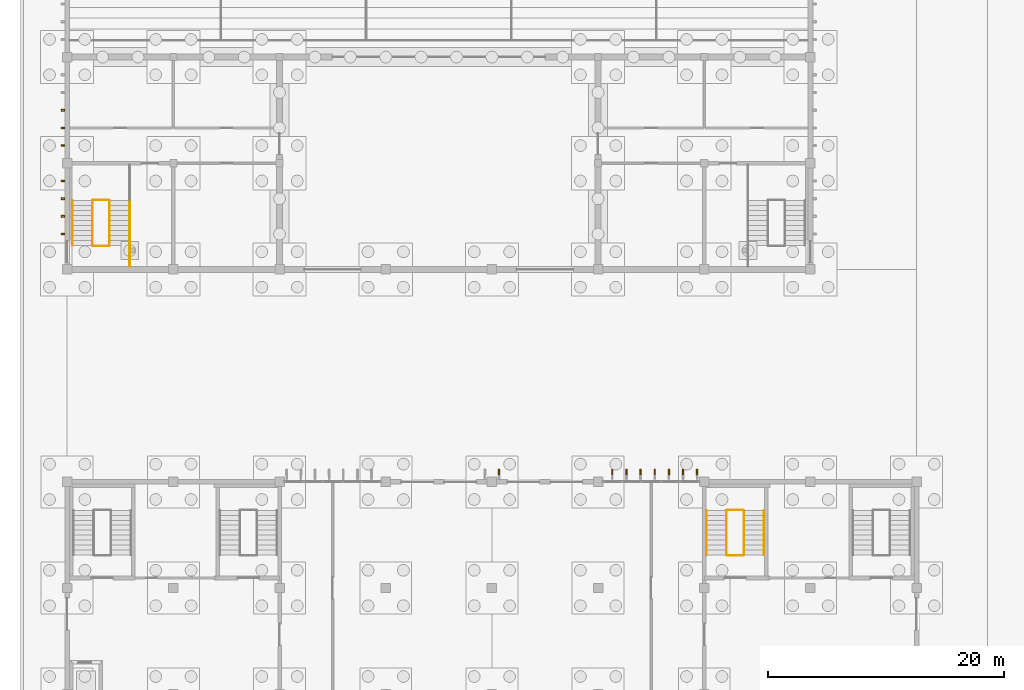
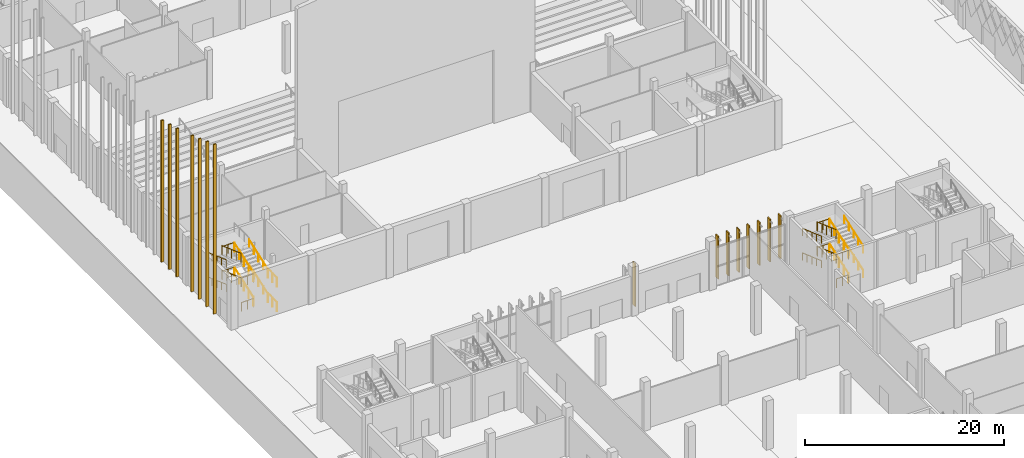
# One storey, part 147 of 198: 26 railings, 15 coverings.
"""IFC4 building model written with IfcOpenShell, lengths in metres."""

from ifc_helpers import new_model, si_unit, direction, frame, origin, origin_2d, place, context, subcontext, project, spatial, rectangle, circle, extrude, material, layer, layer_set, constituent, constituent_set, type_object, element, save


model = new_model("IFC4")

# Units and contexts
model_context = context("Model", 3, precision=1e-05, world=origin(), true_north=direction((0.0, 1.0)))
body_context = subcontext(model_context, "Body", "Model", "MODEL_VIEW")
ifc_project = project(units=[si_unit("LENGTHUNIT", "METRE"), si_unit("AREAUNIT", "SQUARE_METRE"), si_unit("VOLUMEUNIT", "CUBIC_METRE"), si_unit("PLANEANGLEUNIT", "RADIAN"), si_unit("MASSUNIT", "GRAM", prefix="KILO")], contexts=[model_context])

# Site, building, storey
site_placement = place(None, origin())
site = spatial("IfcSite", under=ifc_project, at=site_placement, CompositionType="ELEMENT")
building_placement = place(site_placement, origin())
building = spatial("IfcBuilding", under=site, at=building_placement, Name="Opaline Strait Convention Centre", CompositionType="ELEMENT")
storey_placement = place(building_placement, origin())
storey = spatial("IfcBuildingStorey", under=building, at=storey_placement, Name="L00", CompositionType="ELEMENT", Elevation=0.0)

# Coverings
ifc_material_1 = material(Name="Glass fibre reinforced concrete, white", Category="concrete")
ifc_layer_1 = layer(ifc_material_1, 0.300048828125)
ifc_layer_set_1 = layer_set([ifc_layer_1], Name="Glass fibre reinforced concrete, white")
covering_type_1 = type_object("IfcCoveringType", Name="GRC rib 150 x 300", PredefinedType="CLADDING", material=ifc_layer_set_1)
covering_1_placement = place(storey_placement, frame((8.64990234375, 120.0, 0.0), z_axis=(0.0, 0.0, 1.0), x_axis=(1.0, 0.0, 0.0)))
element("IfcCovering", 1, at=covering_1_placement, inside=storey, type_object=covering_type_1, Name="PX1 rib west 2", PredefinedType="CLADDING", context=body_context, shape_type="SweptSolid", body=[
    extrude(rectangle(XDim=0.300048828125, YDim=0.14990234375, at=origin_2d()), origin(), (0.0, 0.0, 1.0), 20.770263671875),
])
covering_2_placement = place(storey_placement, frame((8.64990234375, 121.5, 0.0), z_axis=(0.0, 0.0, 1.0), x_axis=(1.0, 0.0, 0.0)))
element("IfcCovering", 2, at=covering_2_placement, inside=storey, type_object=covering_type_1, Name="PX1 rib west 3", PredefinedType="CLADDING", context=body_context, shape_type="SweptSolid", body=[
    extrude(rectangle(XDim=0.300048828125, YDim=0.14990234375, at=origin_2d()), origin(), (0.0, 0.0, 1.0), 20.182861328125),
])
covering_3_placement = place(storey_placement, frame((8.64990234375, 123.0, 0.0), z_axis=(0.0, 0.0, 1.0), x_axis=(1.0, 0.0, 0.0)))
element("IfcCovering", 3, at=covering_3_placement, inside=storey, type_object=covering_type_1, Name="PX1 rib west 4", PredefinedType="CLADDING", context=body_context, shape_type="SweptSolid", body=[
    extrude(rectangle(XDim=0.300048828125, YDim=0.14990234375, at=origin_2d()), origin(), (0.0, 0.0, 1.0), 19.627197265625),
])
covering_4_placement = place(storey_placement, frame((8.64990234375, 124.5, 0.0), z_axis=(0.0, 0.0, 1.0), x_axis=(1.0, 0.0, 0.0)))
element("IfcCovering", 4, at=covering_4_placement, inside=storey, type_object=covering_type_1, Name="PX1 rib west 5", PredefinedType="CLADDING", context=body_context, shape_type="SweptSolid", body=[
    extrude(rectangle(XDim=0.300048828125, YDim=0.14990234375, at=origin_2d()), origin(), (0.0, 0.0, 1.0), 19.103515625),
])
covering_5_placement = place(storey_placement, frame((8.64990234375, 127.5, 0.0), z_axis=(0.0, 0.0, 1.0), x_axis=(1.0, 0.0, 0.0)))
element("IfcCovering", 5, at=covering_5_placement, inside=storey, type_object=covering_type_1, Name="PX1 rib west 7", PredefinedType="CLADDING", context=body_context, shape_type="SweptSolid", body=[
    extrude(rectangle(XDim=0.300048828125, YDim=0.14990234375, at=origin_2d()), origin(), (0.0, 0.0, 1.0), 18.151123046875),
])
covering_6_placement = place(storey_placement, frame((8.64990234375, 129.0, 0.0), z_axis=(0.0, 0.0, 1.0), x_axis=(1.0, 0.0, 0.0)))
element("IfcCovering", 6, at=covering_6_placement, inside=storey, type_object=covering_type_1, Name="PX1 rib west 8", PredefinedType="CLADDING", context=body_context, shape_type="SweptSolid", body=[
    extrude(rectangle(XDim=0.300048828125, YDim=0.14990234375, at=origin_2d()), origin(), (0.0, 0.0, 1.0), 17.722412109375),
])
covering_7_placement = place(storey_placement, frame((8.64990234375, 130.5, 0.0), z_axis=(0.0, 0.0, 1.0), x_axis=(1.0, 0.0, 0.0)))
element("IfcCovering", 7, at=covering_7_placement, inside=storey, type_object=covering_type_1, Name="PX1 rib west 9", PredefinedType="CLADDING", context=body_context, shape_type="SweptSolid", body=[
    extrude(rectangle(XDim=0.300048828125, YDim=0.14990234375, at=origin_2d()), origin(), (0.0, 0.0, 1.0), 17.32568359375),
])

# Railings
ifc_material_2 = material(Name="Steel Q355B", Category="steel")
ifc_constituent_1 = constituent(ifc_material_2, Name="Frame")
ifc_material_3 = material(Name="Safety glass, bonded interlayer", Category="glass")
ifc_constituent_2 = constituent(ifc_material_3, Name="Infill")
ifc_constituent_set_1 = constituent_set(constituents=[ifc_constituent_1, ifc_constituent_2], Name="Steel Q355B, Safety glass, bonded interlayer")
railing_type_1 = type_object("IfcRailingType", Name="Seating guard 1100 steel and glass", PredefinedType="GUARDRAIL", material=ifc_constituent_set_1)
railing_1_placement = place(storey_placement, frame((12.60009765625, 119.050048828125, 0.14990234375)))
element("IfcRailing", 8, at=railing_1_placement, inside=storey, type_object=railing_type_1, Name="L00 PSR1 stair guard 1", PredefinedType="GUARDRAIL", context=body_context, shape_type="SweptSolid", body=[
    extrude(circle(Radius=0.02392578125, at=origin_2d()), frame((0.0, 0.0, 1.076171875), z_axis=(0.0, 0.941735030876, 0.336355662388), x_axis=(-1.0, 0.0, 0.0)), (0.0, 0.0, 1.0), 4.013916015625),
    extrude(circle(Radius=0.02099609375, at=origin_2d()), origin(), (0.0, 0.0, 1.0), 1.052001953125),
    extrude(circle(Radius=0.02099609375, at=origin_2d()), frame((0.0, 0.945068359375, 0.33740234375)), (0.0, 0.0, 1.0), 1.052001953125),
    extrude(circle(Radius=0.02099609375, at=origin_2d()), frame((0.0, 1.89013671875, 0.675048828125)), (0.0, 0.0, 1.0), 1.052001953125),
    extrude(circle(Radius=0.02099609375, at=origin_2d()), frame((0.0, 2.8349609375, 1.0126953125)), (0.0, 0.0, 1.0), 1.052001953125),
    extrude(circle(Radius=0.02099609375, at=origin_2d()), frame((0.0, 3.780029296875, 1.35009765625)), (0.0, 0.0, 1.0), 1.052001953125),
])
railing_2_placement = place(storey_placement, frame((12.550048828125, 122.8798828125, 1.5)))
element("IfcRailing", 9, at=railing_2_placement, inside=storey, type_object=railing_type_1, Name="L00 PSR1 stair guard 2", PredefinedType="GUARDRAIL", context=body_context, shape_type="SweptSolid", body=[
    extrude(circle(Radius=0.02392578125, at=origin_2d()), frame((0.0, 0.0, 1.076171875), z_axis=(-1.0, 0.0, 0.0), x_axis=(0.0, -1.0, 0.0)), (0.0, 0.0, 1.0), 1.35009765625),
    extrude(circle(Radius=0.02099609375, at=origin_2d()), origin(), (0.0, 0.0, 1.0), 1.052001953125),
    extrude(circle(Radius=0.02099609375, at=origin_2d()), frame((-0.675048828125, 0.0, 0.0)), (0.0, 0.0, 1.0), 1.052001953125),
    extrude(circle(Radius=0.02099609375, at=origin_2d()), frame((-1.35009765625, 0.0, 0.0)), (0.0, 0.0, 1.0), 1.052001953125),
])
railing_3_placement = place(storey_placement, frame((11.14990234375, 122.830078125, 1.64990234375)))
element("IfcRailing", 10, at=railing_3_placement, inside=storey, type_object=railing_type_1, Name="L00 PSR1 stair guard 4", PredefinedType="GUARDRAIL", context=body_context, shape_type="SweptSolid", body=[
    extrude(circle(Radius=0.02392578125, at=origin_2d()), frame((0.0, 0.0, 1.076171875), z_axis=(0.0, -0.941735030876, 0.336355662388), x_axis=(1.0, 0.0, 0.0)), (0.0, 0.0, 1.0), 4.013916015625),
    extrude(circle(Radius=0.02099609375, at=origin_2d()), origin(), (0.0, 0.0, 1.0), 1.052001953125),
    extrude(circle(Radius=0.02099609375, at=origin_2d()), frame((0.0, -0.945068359375, 0.33740234375)), (0.0, 0.0, 1.0), 1.052001953125),
    extrude(circle(Radius=0.02099609375, at=origin_2d()), frame((0.0, -1.89013671875, 0.675048828125)), (0.0, 0.0, 1.0), 1.052001953125),
    extrude(circle(Radius=0.02099609375, at=origin_2d()), frame((0.0, -2.8349609375, 1.0126953125)), (0.0, 0.0, 1.0), 1.052001953125),
    extrude(circle(Radius=0.02099609375, at=origin_2d()), frame((0.0, -3.780029296875, 1.35009765625)), (0.0, 0.0, 1.0), 1.052001953125),
])
railing_4_placement = place(storey_placement, frame((12.550048828125, 119.0, 3.0)))
element("IfcRailing", 11, at=railing_4_placement, inside=storey, type_object=railing_type_1, Name="L00 PSR1 stair guard 5", PredefinedType="GUARDRAIL", context=body_context, shape_type="SweptSolid", body=[
    extrude(circle(Radius=0.02392578125, at=origin_2d()), frame((0.0, 0.0, 1.076171875), z_axis=(-1.0, 0.0, 0.0), x_axis=(0.0, -1.0, 0.0)), (0.0, 0.0, 1.0), 1.35009765625),
    extrude(circle(Radius=0.02099609375, at=origin_2d()), origin(), (0.0, 0.0, 1.0), 1.052001953125),
    extrude(circle(Radius=0.02099609375, at=origin_2d()), frame((-0.675048828125, 0.0, 0.0)), (0.0, 0.0, 1.0), 1.052001953125),
    extrude(circle(Radius=0.02099609375, at=origin_2d()), frame((-1.35009765625, 0.0, 0.0)), (0.0, 0.0, 1.0), 1.052001953125),
])
railing_5_placement = place(storey_placement, frame((14.300048828125, 117.25, 3.0)))
element("IfcRailing", 12, at=railing_5_placement, inside=storey, type_object=railing_type_1, Name="L00 PSR1 stair guard 6", PredefinedType="GUARDRAIL", context=body_context, shape_type="SweptSolid", body=[
    extrude(circle(Radius=0.02392578125, at=origin_2d()), frame((0.0, 0.0, 1.076171875), z_axis=(0.0, 1.0, 0.0), x_axis=(-1.0, 0.0, 0.0)), (0.0, 0.0, 1.0), 1.800048828125),
    extrude(circle(Radius=0.02099609375, at=origin_2d()), origin(), (0.0, 0.0, 1.0), 1.052001953125),
    extrude(circle(Radius=0.02099609375, at=origin_2d()), frame((0.0, 0.89990234375, 0.0)), (0.0, 0.0, 1.0), 1.052001953125),
    extrude(circle(Radius=0.02099609375, at=origin_2d()), frame((0.0, 1.800048828125, 0.0)), (0.0, 0.0, 1.0), 1.052001953125),
])
railing_6_placement = place(storey_placement, frame((12.60009765625, 119.050048828125, 3.14990234375)))
element("IfcRailing", 13, at=railing_6_placement, inside=storey, type_object=railing_type_1, Name="L00 PSR1 stair guard 7", PredefinedType="GUARDRAIL", context=body_context, shape_type="SweptSolid", body=[
    extrude(circle(Radius=0.02392578125, at=origin_2d()), frame((0.0, 0.0, 1.076171875), z_axis=(0.0, 0.941735030876, 0.336355662388), x_axis=(-1.0, 0.0, 0.0)), (0.0, 0.0, 1.0), 4.013916015625),
    extrude(circle(Radius=0.02099609375, at=origin_2d()), origin(), (0.0, 0.0, 1.0), 1.052001953125),
    extrude(circle(Radius=0.02099609375, at=origin_2d()), frame((0.0, 0.945068359375, 0.33740234375)), (0.0, 0.0, 1.0), 1.052001953125),
    extrude(circle(Radius=0.02099609375, at=origin_2d()), frame((0.0, 1.89013671875, 0.675048828125)), (0.0, 0.0, 1.0), 1.052001953125),
    extrude(circle(Radius=0.02099609375, at=origin_2d()), frame((0.0, 2.8349609375, 1.0126953125)), (0.0, 0.0, 1.0), 1.052001953125),
    extrude(circle(Radius=0.02099609375, at=origin_2d()), frame((0.0, 3.780029296875, 1.35009765625)), (0.0, 0.0, 1.0), 1.052001953125),
])
railing_7_placement = place(storey_placement, frame((12.550048828125, 122.8798828125, 4.5)))
element("IfcRailing", 14, at=railing_7_placement, inside=storey, type_object=railing_type_1, Name="L00 PSR1 stair guard 8", PredefinedType="GUARDRAIL", context=body_context, shape_type="SweptSolid", body=[
    extrude(circle(Radius=0.02392578125, at=origin_2d()), frame((0.0, 0.0, 1.076171875), z_axis=(-1.0, 0.0, 0.0), x_axis=(0.0, -1.0, 0.0)), (0.0, 0.0, 1.0), 1.35009765625),
    extrude(circle(Radius=0.02099609375, at=origin_2d()), origin(), (0.0, 0.0, 1.0), 1.052001953125),
    extrude(circle(Radius=0.02099609375, at=origin_2d()), frame((-0.675048828125, 0.0, 0.0)), (0.0, 0.0, 1.0), 1.052001953125),
    extrude(circle(Radius=0.02099609375, at=origin_2d()), frame((-1.35009765625, 0.0, 0.0)), (0.0, 0.0, 1.0), 1.052001953125),
])
railing_8_placement = place(storey_placement, frame((11.14990234375, 122.830078125, 4.64990234375)))
element("IfcRailing", 15, at=railing_8_placement, inside=storey, type_object=railing_type_1, Name="L00 PSR1 stair guard 10", PredefinedType="GUARDRAIL", context=body_context, shape_type="SweptSolid", body=[
    extrude(circle(Radius=0.02392578125, at=origin_2d()), frame((0.0, 0.0, 1.076171875), z_axis=(0.0, -0.941735030876, 0.336355662388), x_axis=(1.0, 0.0, 0.0)), (0.0, 0.0, 1.0), 4.013916015625),
    extrude(circle(Radius=0.02099609375, at=origin_2d()), origin(), (0.0, 0.0, 1.0), 1.052001953125),
    extrude(circle(Radius=0.02099609375, at=origin_2d()), frame((0.0, -0.945068359375, 0.33740234375)), (0.0, 0.0, 1.0), 1.052001953125),
    extrude(circle(Radius=0.02099609375, at=origin_2d()), frame((0.0, -1.89013671875, 0.675048828125)), (0.0, 0.0, 1.0), 1.052001953125),
    extrude(circle(Radius=0.02099609375, at=origin_2d()), frame((0.0, -2.8349609375, 1.0126953125)), (0.0, 0.0, 1.0), 1.052001953125),
    extrude(circle(Radius=0.02099609375, at=origin_2d()), frame((0.0, -3.780029296875, 1.35009765625)), (0.0, 0.0, 1.0), 1.052001953125),
])
railing_9_placement = place(storey_placement, frame((12.550048828125, 119.0, 0.0)))
element("IfcRailing", 16, at=railing_9_placement, inside=storey, type_object=railing_type_1, Name="L00 PSR1 stair guard 11", PredefinedType="GUARDRAIL", context=body_context, shape_type="SweptSolid", body=[
    extrude(circle(Radius=0.02392578125, at=origin_2d()), frame((0.0, 0.0, 1.076171875), z_axis=(-1.0, 0.0, 0.0), x_axis=(0.0, -1.0, 0.0)), (0.0, 0.0, 1.0), 1.35009765625),
    extrude(circle(Radius=0.02099609375, at=origin_2d()), origin(), (0.0, 0.0, 1.0), 1.052001953125),
    extrude(circle(Radius=0.02099609375, at=origin_2d()), frame((-0.675048828125, 0.0, 0.0)), (0.0, 0.0, 1.0), 1.052001953125),
    extrude(circle(Radius=0.02099609375, at=origin_2d()), frame((-1.35009765625, 0.0, 0.0)), (0.0, 0.0, 1.0), 1.052001953125),
])
railing_10_placement = place(storey_placement, frame((14.300048828125, 117.25, 0.0)))
element("IfcRailing", 17, at=railing_10_placement, inside=storey, type_object=railing_type_1, Name="L00 PSR1 stair guard 12", PredefinedType="GUARDRAIL", context=body_context, shape_type="SweptSolid", body=[
    extrude(circle(Radius=0.02392578125, at=origin_2d()), frame((0.0, 0.0, 1.076171875), z_axis=(0.0, 1.0, 0.0), x_axis=(-1.0, 0.0, 0.0)), (0.0, 0.0, 1.0), 1.800048828125),
    extrude(circle(Radius=0.02099609375, at=origin_2d()), origin(), (0.0, 0.0, 1.0), 1.052001953125),
    extrude(circle(Radius=0.02099609375, at=origin_2d()), frame((0.0, 0.89990234375, 0.0)), (0.0, 0.0, 1.0), 1.052001953125),
    extrude(circle(Radius=0.02099609375, at=origin_2d()), frame((0.0, 1.800048828125, 0.0)), (0.0, 0.0, 1.0), 1.052001953125),
])
ifc_material_4 = material(Name="Steel Q235B", Category="steel")
ifc_constituent_3 = constituent(ifc_material_4, Name="Frame")
ifc_constituent_4 = constituent(ifc_material_3, Name="Infill")
ifc_constituent_set_2 = constituent_set(constituents=[ifc_constituent_3, ifc_constituent_4], Name="Steel Q235B, Safety glass, bonded interlayer")
railing_type_2 = type_object("IfcRailingType", Name="Stair guard 1100 Q235B and glass", PredefinedType="GUARDRAIL", material=ifc_constituent_set_2)
railing_11_placement = place(storey_placement, frame((66.35009765625, 92.800048828125, 0.14990234375)))
element("IfcRailing", 18, at=railing_11_placement, inside=storey, type_object=railing_type_2, Name="L00 NEB stair guard 1", PredefinedType="GUARDRAIL", context=body_context, shape_type="SweptSolid", body=[
    extrude(circle(Radius=0.02392578125, at=origin_2d()), frame((0.0, 0.0, 1.076171875), z_axis=(0.0, 0.941735030876, 0.336355662388), x_axis=(-1.0, 0.0, 0.0)), (0.0, 0.0, 1.0), 4.013916015625),
    extrude(circle(Radius=0.02099609375, at=origin_2d()), origin(), (0.0, 0.0, 1.0), 1.052001953125),
    extrude(circle(Radius=0.02099609375, at=origin_2d()), frame((0.0, 0.945068359375, 0.33740234375)), (0.0, 0.0, 1.0), 1.052001953125),
    extrude(circle(Radius=0.02099609375, at=origin_2d()), frame((0.0, 1.89013671875, 0.675048828125)), (0.0, 0.0, 1.0), 1.052001953125),
    extrude(circle(Radius=0.02099609375, at=origin_2d()), frame((0.0, 2.8349609375, 1.0126953125)), (0.0, 0.0, 1.0), 1.052001953125),
    extrude(circle(Radius=0.02099609375, at=origin_2d()), frame((0.0, 3.780029296875, 1.35009765625)), (0.0, 0.0, 1.0), 1.052001953125),
])
railing_12_placement = place(storey_placement, frame((66.300048828125, 96.6298828125, 1.5)))
element("IfcRailing", 19, at=railing_12_placement, inside=storey, type_object=railing_type_2, Name="L00 NEB stair guard 2", PredefinedType="GUARDRAIL", context=body_context, shape_type="SweptSolid", body=[
    extrude(circle(Radius=0.02392578125, at=origin_2d()), frame((0.0, 0.0, 1.076171875), z_axis=(-1.0, 0.0, 0.0), x_axis=(0.0, -1.0, 0.0)), (0.0, 0.0, 1.0), 1.35009765625),
    extrude(circle(Radius=0.02099609375, at=origin_2d()), origin(), (0.0, 0.0, 1.0), 1.052001953125),
    extrude(circle(Radius=0.02099609375, at=origin_2d()), frame((-0.675048828125, 0.0, 0.0)), (0.0, 0.0, 1.0), 1.052001953125),
    extrude(circle(Radius=0.02099609375, at=origin_2d()), frame((-1.35009765625, 0.0, 0.0)), (0.0, 0.0, 1.0), 1.052001953125),
])
railing_13_placement = place(storey_placement, frame((64.89990234375, 96.580078125, 1.64990234375)))
element("IfcRailing", 20, at=railing_13_placement, inside=storey, type_object=railing_type_2, Name="L00 NEB stair guard 3", PredefinedType="GUARDRAIL", context=body_context, shape_type="SweptSolid", body=[
    extrude(circle(Radius=0.02392578125, at=origin_2d()), frame((0.0, 0.0, 1.076171875), z_axis=(0.0, -0.941735030876, 0.336355662388), x_axis=(1.0, 0.0, 0.0)), (0.0, 0.0, 1.0), 4.013916015625),
    extrude(circle(Radius=0.02099609375, at=origin_2d()), origin(), (0.0, 0.0, 1.0), 1.052001953125),
    extrude(circle(Radius=0.02099609375, at=origin_2d()), frame((0.0, -0.945068359375, 0.33740234375)), (0.0, 0.0, 1.0), 1.052001953125),
    extrude(circle(Radius=0.02099609375, at=origin_2d()), frame((0.0, -1.89013671875, 0.675048828125)), (0.0, 0.0, 1.0), 1.052001953125),
    extrude(circle(Radius=0.02099609375, at=origin_2d()), frame((0.0, -2.8349609375, 1.0126953125)), (0.0, 0.0, 1.0), 1.052001953125),
    extrude(circle(Radius=0.02099609375, at=origin_2d()), frame((0.0, -3.780029296875, 1.35009765625)), (0.0, 0.0, 1.0), 1.052001953125),
])
railing_14_placement = place(storey_placement, frame((66.300048828125, 92.75, 3.0)))
element("IfcRailing", 21, at=railing_14_placement, inside=storey, type_object=railing_type_2, Name="L00 NEB stair guard 4", PredefinedType="GUARDRAIL", context=body_context, shape_type="SweptSolid", body=[
    extrude(circle(Radius=0.02392578125, at=origin_2d()), frame((0.0, 0.0, 1.076171875), z_axis=(-1.0, 0.0, 0.0), x_axis=(0.0, -1.0, 0.0)), (0.0, 0.0, 1.0), 1.35009765625),
    extrude(circle(Radius=0.02099609375, at=origin_2d()), origin(), (0.0, 0.0, 1.0), 1.052001953125),
    extrude(circle(Radius=0.02099609375, at=origin_2d()), frame((-0.675048828125, 0.0, 0.0)), (0.0, 0.0, 1.0), 1.052001953125),
    extrude(circle(Radius=0.02099609375, at=origin_2d()), frame((-1.35009765625, 0.0, 0.0)), (0.0, 0.0, 1.0), 1.052001953125),
])
railing_15_placement = place(storey_placement, frame((66.35009765625, 92.800048828125, 3.14990234375)))
element("IfcRailing", 22, at=railing_15_placement, inside=storey, type_object=railing_type_2, Name="L00 NEB stair guard 5", PredefinedType="GUARDRAIL", context=body_context, shape_type="SweptSolid", body=[
    extrude(circle(Radius=0.02392578125, at=origin_2d()), frame((0.0, 0.0, 1.076171875), z_axis=(0.0, 0.941735030876, 0.336355662388), x_axis=(-1.0, 0.0, 0.0)), (0.0, 0.0, 1.0), 4.013916015625),
    extrude(circle(Radius=0.02099609375, at=origin_2d()), origin(), (0.0, 0.0, 1.0), 1.052001953125),
    extrude(circle(Radius=0.02099609375, at=origin_2d()), frame((0.0, 0.945068359375, 0.33740234375)), (0.0, 0.0, 1.0), 1.052001953125),
    extrude(circle(Radius=0.02099609375, at=origin_2d()), frame((0.0, 1.89013671875, 0.675048828125)), (0.0, 0.0, 1.0), 1.052001953125),
    extrude(circle(Radius=0.02099609375, at=origin_2d()), frame((0.0, 2.8349609375, 1.0126953125)), (0.0, 0.0, 1.0), 1.052001953125),
    extrude(circle(Radius=0.02099609375, at=origin_2d()), frame((0.0, 3.780029296875, 1.35009765625)), (0.0, 0.0, 1.0), 1.052001953125),
])
railing_16_placement = place(storey_placement, frame((66.300048828125, 96.6298828125, 4.5)))
element("IfcRailing", 23, at=railing_16_placement, inside=storey, type_object=railing_type_2, Name="L00 NEB stair guard 6", PredefinedType="GUARDRAIL", context=body_context, shape_type="SweptSolid", body=[
    extrude(circle(Radius=0.02392578125, at=origin_2d()), frame((0.0, 0.0, 1.076171875), z_axis=(-1.0, 0.0, 0.0), x_axis=(0.0, -1.0, 0.0)), (0.0, 0.0, 1.0), 1.35009765625),
    extrude(circle(Radius=0.02099609375, at=origin_2d()), origin(), (0.0, 0.0, 1.0), 1.052001953125),
    extrude(circle(Radius=0.02099609375, at=origin_2d()), frame((-0.675048828125, 0.0, 0.0)), (0.0, 0.0, 1.0), 1.052001953125),
    extrude(circle(Radius=0.02099609375, at=origin_2d()), frame((-1.35009765625, 0.0, 0.0)), (0.0, 0.0, 1.0), 1.052001953125),
])
railing_17_placement = place(storey_placement, frame((64.89990234375, 96.580078125, 4.64990234375)))
element("IfcRailing", 24, at=railing_17_placement, inside=storey, type_object=railing_type_2, Name="L00 NEB stair guard 7", PredefinedType="GUARDRAIL", context=body_context, shape_type="SweptSolid", body=[
    extrude(circle(Radius=0.02392578125, at=origin_2d()), frame((0.0, 0.0, 1.076171875), z_axis=(0.0, -0.941735030876, 0.336355662388), x_axis=(1.0, 0.0, 0.0)), (0.0, 0.0, 1.0), 4.013916015625),
    extrude(circle(Radius=0.02099609375, at=origin_2d()), origin(), (0.0, 0.0, 1.0), 1.052001953125),
    extrude(circle(Radius=0.02099609375, at=origin_2d()), frame((0.0, -0.945068359375, 0.33740234375)), (0.0, 0.0, 1.0), 1.052001953125),
    extrude(circle(Radius=0.02099609375, at=origin_2d()), frame((0.0, -1.89013671875, 0.675048828125)), (0.0, 0.0, 1.0), 1.052001953125),
    extrude(circle(Radius=0.02099609375, at=origin_2d()), frame((0.0, -2.8349609375, 1.0126953125)), (0.0, 0.0, 1.0), 1.052001953125),
    extrude(circle(Radius=0.02099609375, at=origin_2d()), frame((0.0, -3.780029296875, 1.35009765625)), (0.0, 0.0, 1.0), 1.052001953125),
])
railing_18_placement = place(storey_placement, frame((66.300048828125, 92.75, 0.0)))
element("IfcRailing", 25, at=railing_18_placement, inside=storey, type_object=railing_type_2, Name="L00 NEB stair guard 8", PredefinedType="GUARDRAIL", context=body_context, shape_type="SweptSolid", body=[
    extrude(circle(Radius=0.02392578125, at=origin_2d()), frame((0.0, 0.0, 1.076171875), z_axis=(-1.0, 0.0, 0.0), x_axis=(0.0, -1.0, 0.0)), (0.0, 0.0, 1.0), 1.35009765625),
    extrude(circle(Radius=0.02099609375, at=origin_2d()), origin(), (0.0, 0.0, 1.0), 1.052001953125),
    extrude(circle(Radius=0.02099609375, at=origin_2d()), frame((-0.675048828125, 0.0, 0.0)), (0.0, 0.0, 1.0), 1.052001953125),
    extrude(circle(Radius=0.02099609375, at=origin_2d()), frame((-1.35009765625, 0.0, 0.0)), (0.0, 0.0, 1.0), 1.052001953125),
])
ifc_material_5 = material(Name="Stainless steel 304", Category="steel")
railing_type_3 = type_object("IfcRailingType", Name="Stair handrail 900", PredefinedType="HANDRAIL", material=ifc_material_5)
railing_19_placement = place(storey_placement, frame((14.300048828125, 119.050048828125, 0.14990234375)))
element("IfcRailing", 26, at=railing_19_placement, inside=storey, type_object=railing_type_3, Name="L00 PSR1 stair handrail 1", PredefinedType="HANDRAIL", context=body_context, shape_type="SweptSolid", body=[
    extrude(circle(Radius=0.02392578125, at=origin_2d()), frame((0.0, 0.0, 0.8759765625), z_axis=(0.0, 0.941735030876, 0.336355662388), x_axis=(-1.0, 0.0, 0.0)), (0.0, 0.0, 1.0), 4.013916015625),
    extrude(circle(Radius=0.02099609375, at=origin_2d()), origin(), (0.0, 0.0, 1.0), 0.851806640625),
    extrude(circle(Radius=0.02099609375, at=origin_2d()), frame((0.0, 0.945068359375, 0.33740234375)), (0.0, 0.0, 1.0), 0.851806640625),
    extrude(circle(Radius=0.02099609375, at=origin_2d()), frame((0.0, 1.89013671875, 0.675048828125)), (0.0, 0.0, 1.0), 0.851806640625),
    extrude(circle(Radius=0.02099609375, at=origin_2d()), frame((0.0, 2.8349609375, 1.0126953125)), (0.0, 0.0, 1.0), 0.851806640625),
    extrude(circle(Radius=0.02099609375, at=origin_2d()), frame((0.0, 3.780029296875, 1.35009765625)), (0.0, 0.0, 1.0), 0.851806640625),
])
railing_20_placement = place(storey_placement, frame((9.449951171875, 122.830078125, 1.64990234375)))
element("IfcRailing", 27, at=railing_20_placement, inside=storey, type_object=railing_type_3, Name="L00 PSR1 stair handrail 2", PredefinedType="HANDRAIL", context=body_context, shape_type="SweptSolid", body=[
    extrude(circle(Radius=0.02392578125, at=origin_2d()), frame((0.0, 0.0, 0.8759765625), z_axis=(0.0, -0.941735030876, 0.336355662388), x_axis=(1.0, 0.0, 0.0)), (0.0, 0.0, 1.0), 4.013916015625),
    extrude(circle(Radius=0.02099609375, at=origin_2d()), origin(), (0.0, 0.0, 1.0), 0.851806640625),
    extrude(circle(Radius=0.02099609375, at=origin_2d()), frame((0.0, -0.945068359375, 0.33740234375)), (0.0, 0.0, 1.0), 0.851806640625),
    extrude(circle(Radius=0.02099609375, at=origin_2d()), frame((0.0, -1.89013671875, 0.675048828125)), (0.0, 0.0, 1.0), 0.851806640625),
    extrude(circle(Radius=0.02099609375, at=origin_2d()), frame((0.0, -2.8349609375, 1.0126953125)), (0.0, 0.0, 1.0), 0.851806640625),
    extrude(circle(Radius=0.02099609375, at=origin_2d()), frame((0.0, -3.780029296875, 1.35009765625)), (0.0, 0.0, 1.0), 0.851806640625),
])
railing_21_placement = place(storey_placement, frame((14.300048828125, 119.050048828125, 3.14990234375)))
element("IfcRailing", 28, at=railing_21_placement, inside=storey, type_object=railing_type_3, Name="L00 PSR1 stair handrail 3", PredefinedType="HANDRAIL", context=body_context, shape_type="SweptSolid", body=[
    extrude(circle(Radius=0.02392578125, at=origin_2d()), frame((0.0, 0.0, 0.8759765625), z_axis=(0.0, 0.941735030876, 0.336355662388), x_axis=(-1.0, 0.0, 0.0)), (0.0, 0.0, 1.0), 4.013916015625),
    extrude(circle(Radius=0.02099609375, at=origin_2d()), origin(), (0.0, 0.0, 1.0), 0.851806640625),
    extrude(circle(Radius=0.02099609375, at=origin_2d()), frame((0.0, 0.945068359375, 0.33740234375)), (0.0, 0.0, 1.0), 0.851806640625),
    extrude(circle(Radius=0.02099609375, at=origin_2d()), frame((0.0, 1.89013671875, 0.675048828125)), (0.0, 0.0, 1.0), 0.851806640625),
    extrude(circle(Radius=0.02099609375, at=origin_2d()), frame((0.0, 2.8349609375, 1.0126953125)), (0.0, 0.0, 1.0), 0.851806640625),
    extrude(circle(Radius=0.02099609375, at=origin_2d()), frame((0.0, 3.780029296875, 1.35009765625)), (0.0, 0.0, 1.0), 0.851806640625),
])
railing_22_placement = place(storey_placement, frame((9.449951171875, 122.830078125, 4.64990234375)))
element("IfcRailing", 29, at=railing_22_placement, inside=storey, type_object=railing_type_3, Name="L00 PSR1 stair handrail 4", PredefinedType="HANDRAIL", context=body_context, shape_type="SweptSolid", body=[
    extrude(circle(Radius=0.02392578125, at=origin_2d()), frame((0.0, 0.0, 0.8759765625), z_axis=(0.0, -0.941735030876, 0.336355662388), x_axis=(1.0, 0.0, 0.0)), (0.0, 0.0, 1.0), 4.013916015625),
    extrude(circle(Radius=0.02099609375, at=origin_2d()), origin(), (0.0, 0.0, 1.0), 0.851806640625),
    extrude(circle(Radius=0.02099609375, at=origin_2d()), frame((0.0, -0.945068359375, 0.33740234375)), (0.0, 0.0, 1.0), 0.851806640625),
    extrude(circle(Radius=0.02099609375, at=origin_2d()), frame((0.0, -1.89013671875, 0.675048828125)), (0.0, 0.0, 1.0), 0.851806640625),
    extrude(circle(Radius=0.02099609375, at=origin_2d()), frame((0.0, -2.8349609375, 1.0126953125)), (0.0, 0.0, 1.0), 0.851806640625),
    extrude(circle(Radius=0.02099609375, at=origin_2d()), frame((0.0, -3.780029296875, 1.35009765625)), (0.0, 0.0, 1.0), 0.851806640625),
])
railing_type_4 = type_object("IfcRailingType", Name="Stair handrail 900 stainless 304", PredefinedType="HANDRAIL", material=ifc_material_5)
railing_23_placement = place(storey_placement, frame((68.050048828125, 92.800048828125, 0.14990234375)))
element("IfcRailing", 30, at=railing_23_placement, inside=storey, type_object=railing_type_4, Name="L00 NEB stair handrail 1", PredefinedType="HANDRAIL", context=body_context, shape_type="SweptSolid", body=[
    extrude(circle(Radius=0.02392578125, at=origin_2d()), frame((0.0, 0.0, 0.8759765625), z_axis=(0.0, 0.941735030876, 0.336355662388), x_axis=(-1.0, 0.0, 0.0)), (0.0, 0.0, 1.0), 4.013916015625),
    extrude(circle(Radius=0.02099609375, at=origin_2d()), origin(), (0.0, 0.0, 1.0), 0.851806640625),
    extrude(circle(Radius=0.02099609375, at=origin_2d()), frame((0.0, 0.945068359375, 0.33740234375)), (0.0, 0.0, 1.0), 0.851806640625),
    extrude(circle(Radius=0.02099609375, at=origin_2d()), frame((0.0, 1.89013671875, 0.675048828125)), (0.0, 0.0, 1.0), 0.851806640625),
    extrude(circle(Radius=0.02099609375, at=origin_2d()), frame((0.0, 2.8349609375, 1.0126953125)), (0.0, 0.0, 1.0), 0.851806640625),
    extrude(circle(Radius=0.02099609375, at=origin_2d()), frame((0.0, 3.780029296875, 1.35009765625)), (0.0, 0.0, 1.0), 0.851806640625),
])
railing_24_placement = place(storey_placement, frame((63.199951171875, 96.580078125, 1.64990234375)))
element("IfcRailing", 31, at=railing_24_placement, inside=storey, type_object=railing_type_4, Name="L00 NEB stair handrail 2", PredefinedType="HANDRAIL", context=body_context, shape_type="SweptSolid", body=[
    extrude(circle(Radius=0.02392578125, at=origin_2d()), frame((0.0, 0.0, 0.8759765625), z_axis=(0.0, -0.941735030876, 0.336355662388), x_axis=(1.0, 0.0, 0.0)), (0.0, 0.0, 1.0), 4.013916015625),
    extrude(circle(Radius=0.02099609375, at=origin_2d()), origin(), (0.0, 0.0, 1.0), 0.851806640625),
    extrude(circle(Radius=0.02099609375, at=origin_2d()), frame((0.0, -0.945068359375, 0.33740234375)), (0.0, 0.0, 1.0), 0.851806640625),
    extrude(circle(Radius=0.02099609375, at=origin_2d()), frame((0.0, -1.89013671875, 0.675048828125)), (0.0, 0.0, 1.0), 0.851806640625),
    extrude(circle(Radius=0.02099609375, at=origin_2d()), frame((0.0, -2.8349609375, 1.0126953125)), (0.0, 0.0, 1.0), 0.851806640625),
    extrude(circle(Radius=0.02099609375, at=origin_2d()), frame((0.0, -3.780029296875, 1.35009765625)), (0.0, 0.0, 1.0), 0.851806640625),
])
railing_25_placement = place(storey_placement, frame((68.050048828125, 92.800048828125, 3.14990234375)))
element("IfcRailing", 32, at=railing_25_placement, inside=storey, type_object=railing_type_4, Name="L00 NEB stair handrail 3", PredefinedType="HANDRAIL", context=body_context, shape_type="SweptSolid", body=[
    extrude(circle(Radius=0.02392578125, at=origin_2d()), frame((0.0, 0.0, 0.8759765625), z_axis=(0.0, 0.941735030876, 0.336355662388), x_axis=(-1.0, 0.0, 0.0)), (0.0, 0.0, 1.0), 4.013916015625),
    extrude(circle(Radius=0.02099609375, at=origin_2d()), origin(), (0.0, 0.0, 1.0), 0.851806640625),
    extrude(circle(Radius=0.02099609375, at=origin_2d()), frame((0.0, 0.945068359375, 0.33740234375)), (0.0, 0.0, 1.0), 0.851806640625),
    extrude(circle(Radius=0.02099609375, at=origin_2d()), frame((0.0, 1.89013671875, 0.675048828125)), (0.0, 0.0, 1.0), 0.851806640625),
    extrude(circle(Radius=0.02099609375, at=origin_2d()), frame((0.0, 2.8349609375, 1.0126953125)), (0.0, 0.0, 1.0), 0.851806640625),
    extrude(circle(Radius=0.02099609375, at=origin_2d()), frame((0.0, 3.780029296875, 1.35009765625)), (0.0, 0.0, 1.0), 0.851806640625),
])
railing_26_placement = place(storey_placement, frame((63.199951171875, 96.580078125, 4.64990234375)))
element("IfcRailing", 33, at=railing_26_placement, inside=storey, type_object=railing_type_4, Name="L00 NEB stair handrail 4", PredefinedType="HANDRAIL", context=body_context, shape_type="SweptSolid", body=[
    extrude(circle(Radius=0.02392578125, at=origin_2d()), frame((0.0, 0.0, 0.8759765625), z_axis=(0.0, -0.941735030876, 0.336355662388), x_axis=(1.0, 0.0, 0.0)), (0.0, 0.0, 1.0), 4.013916015625),
    extrude(circle(Radius=0.02099609375, at=origin_2d()), origin(), (0.0, 0.0, 1.0), 0.851806640625),
    extrude(circle(Radius=0.02099609375, at=origin_2d()), frame((0.0, -0.945068359375, 0.33740234375)), (0.0, 0.0, 1.0), 0.851806640625),
    extrude(circle(Radius=0.02099609375, at=origin_2d()), frame((0.0, -1.89013671875, 0.675048828125)), (0.0, 0.0, 1.0), 0.851806640625),
    extrude(circle(Radius=0.02099609375, at=origin_2d()), frame((0.0, -2.8349609375, 1.0126953125)), (0.0, 0.0, 1.0), 0.851806640625),
    extrude(circle(Radius=0.02099609375, at=origin_2d()), frame((0.0, -3.780029296875, 1.35009765625)), (0.0, 0.0, 1.0), 0.851806640625),
])

# Coverings
ifc_material_6 = material(Name="Powder-coated white aluminium", Category="aluminium")
ifc_layer_2 = layer(ifc_material_6, 0.1201171875)
ifc_layer_set_2 = layer_set([ifc_layer_2], Name="Powder-coated white aluminium")
covering_type_2 = type_object("IfcCoveringType", Name="Storm louvre fin 120x500x5250", PredefinedType="CLADDING", material=ifc_layer_set_2)
for number, where, z_axis, x_axis, name in (
    (34, (45.60009765625, 99.800048828125, 0.300048828125), (0.0, 0.0, 1.0), (1.0, 0.0, 0.0), "Storm louvre fin N L00"),
    (35, (55.199951171875, 99.800048828125, 0.300048828125), (0.0, 0.0, 1.0), (1.0, 0.0, 0.0), "Storm louvre fin N L00"),
    (36, (56.39990234375, 99.800048828125, 0.300048828125), (0.0, 0.0, 1.0), (1.0, 0.0, 0.0), "Storm louvre fin N L00"),
    (37, (57.60009765625, 99.800048828125, 0.300048828125), (0.0, 0.0, 1.0), (1.0, 0.0, 0.0), "Storm louvre fin N L00"),
    (38, (58.800048828125, 99.800048828125, 0.300048828125), (0.0, 0.0, 1.0), (1.0, 0.0, 0.0), "Storm louvre fin N L00"),
    (39, (60.0, 99.800048828125, 0.300048828125), (0.0, 0.0, 1.0), (1.0, 0.0, 0.0), "Storm louvre fin N L00"),
    (40, (61.199951171875, 99.800048828125, 0.300048828125), (0.0, 0.0, 1.0), (1.0, 0.0, 0.0), "Storm louvre fin N L00"),
    (41, (62.39990234375, 99.800048828125, 0.300048828125), (0.0, 0.0, 1.0), (1.0, 0.0, 0.0), "Storm louvre fin N L00"),
):
    element("IfcCovering", number, at=place(storey_placement, frame(where, z_axis=z_axis, x_axis=x_axis)), inside=storey, type_object=covering_type_2, Name=name, PredefinedType="CLADDING", context=body_context, shape_type="SweptSolid", body=[
        extrude(rectangle(XDim=0.1201171875, YDim=0.5, at=origin_2d()), origin(), (0.0, 0.0, 1.0), 5.25),
    ])

save(model, "model.ifc")
